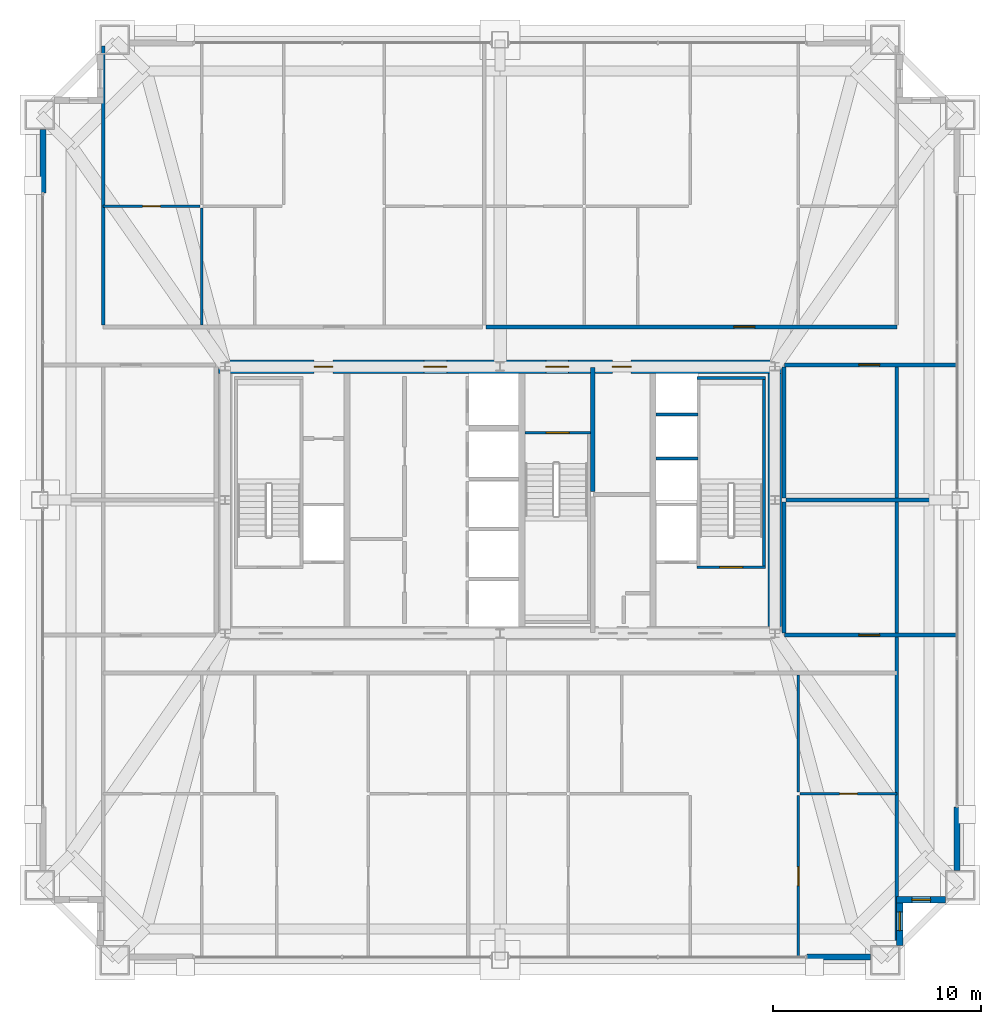
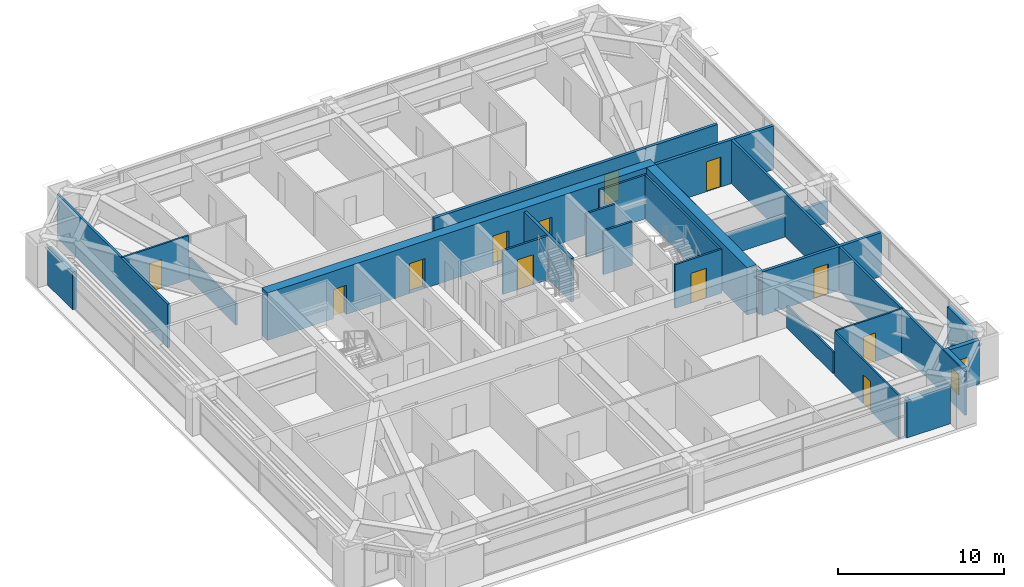
# One storey, part 36 of 39: 27 walls, 12 doors, 2 windows, 14 openings.
"""IFC4 building model written with IfcOpenShell, lengths in metres."""

from ifc_helpers import new_model, si_unit, direction, frame, frame_2d, origin, place, context, subcontext, project, spatial, rectangle, extrude, source, transform, mapped, material, layer, layer_set, type_object, element, fill, save


model = new_model("IFC4")

# Units and contexts
model_context = context("Model", 3, precision=1e-05, world=origin(), true_north=direction((0.0, 1.0)))
body_context = subcontext(model_context, "Body", "Model", "MODEL_VIEW")
ifc_project = project(units=[si_unit("LENGTHUNIT", "METRE"), si_unit("AREAUNIT", "SQUARE_METRE"), si_unit("VOLUMEUNIT", "CUBIC_METRE"), si_unit("PLANEANGLEUNIT", "RADIAN"), si_unit("MASSUNIT", "GRAM", prefix="KILO"), si_unit("THERMODYNAMICTEMPERATUREUNIT", "KELVIN"), si_unit("POWERUNIT", "WATT")], contexts=[model_context])

# Site, building, storey
site_placement = place(None, origin())
site = spatial("IfcSite", under=ifc_project, at=site_placement, CompositionType="ELEMENT")
building_placement = place(site_placement, origin())
building = spatial("IfcBuilding", under=site, at=building_placement, Name="Yuzanri Waterfront Tower", CompositionType="ELEMENT")
storey_placement = place(building_placement, frame((0.0, 0.0, 216.0)))
storey = spatial("IfcBuildingStorey", under=building, at=storey_placement, Name="L57", CompositionType="ELEMENT", Elevation=216.0)

# Wall, opening, door
ifc_material_1 = material(Name="Moisture-Resistant Gypsum Stud Wall", Category="gypsum")
ifc_layer_1 = layer(ifc_material_1, 0.1201171875)
ifc_layer_set_1 = layer_set([ifc_layer_1], Name="Moisture-Resistant Gypsum Stud Wall")
wall_type_1 = type_object("IfcWallType", Name="Bathroom and Kitchen Wet Partition 120", PredefinedType="PARTITIONING", material=ifc_layer_set_1)
wall_1_placement = place(storey_placement, frame((51.4130859375, 11.699951171875, 0.0), z_axis=(0.0, 0.0, 1.0), x_axis=(1.0, 0.0, 0.0)))
wall_1 = element("IfcWall", 1, at=wall_1_placement, inside=storey, type_object=wall_type_1, Name="L57 Partition UW-L57-RS2-SUB-3-S", PredefinedType="PARTITIONING", context=body_context, shape_type="SweptSolid", body=[
    extrude(rectangle(XDim=4.64697265625, YDim=0.1201171875, at=frame_2d((2.323486328125, 0.0))), origin(), (0.0, 0.0, 1.0), 3.219970703125),
])
opening_1_placement = place(wall_1_placement, frame((1.8984375, 0.0, 0.0)))
opening_1 = element("IfcOpeningElement", 2, at=opening_1_placement, cuts=wall_1, Name="Opening ID-0850", PredefinedType="OPENING", context=body_context, shape_type="SweptSolid", body=[
    extrude(rectangle(XDim=0.85009765625, YDim=2.10009765625, at=frame_2d((0.425048828125, 1.050048828125))), frame((0.0, 0.074951171875, 0.0), z_axis=(0.0, -1.0, 0.0), x_axis=(1.0, 0.0, 0.0)), (0.0, 0.0, 1.0), 0.14990234375),
])
ifc_material_2 = material(Name="Moisture-Resistant Lacquered Timber", Category="wood")
door_type_1 = type_object("IfcDoorType", Name="En-Suite Bathroom and Kitchen Swing Door 850x2100", OperationType="NOTDEFINED", PredefinedType="DOOR", material=ifc_material_2)
shared_shape_1 = source(origin(), body_context, "Body", "SweptSolid", [
    extrude(rectangle(XDim=0.85009765625, YDim=2.10009765625, at=frame_2d((0.425048828125, 1.050048828125))), frame((0.0, 0.02490234375, 0.0), z_axis=(0.0, -1.0, 0.0), x_axis=(1.0, 0.0, 0.0)), (0.0, 0.0, 1.0), 0.050048828125),
])
door_1_placement = place(opening_1_placement, origin())
door_1 = element("IfcDoor", 3, at=door_1_placement, inside=storey, type_object=door_type_1, Name="L57 Suite Interior Room Door", OperationType="SINGLE_SWING_LEFT", OverallHeight=2.10009765625, OverallWidth=0.85009765625, PredefinedType="DOOR", context=body_context, shape_type="MappedRepresentation", body=[
    mapped(shared_shape_1, transform((0.0, 0.0, 0.0), scale=1.0)),
])
fill(opening_1, door_1)

wall_2_placement = place(storey_placement, frame((51.3330078125, 3.85009765625, 0.0), z_axis=(0.0, 0.0, 1.0), x_axis=(0.0, 1.0, 0.0)))
wall_2 = element("IfcWall", 4, at=wall_2_placement, inside=storey, type_object=wall_type_1, Name="L57 Partition UW-L57-RS2-SUB-5-W", PredefinedType="PARTITIONING", context=body_context, shape_type="SweptSolid", body=[
    extrude(rectangle(XDim=7.77001953125, YDim=0.1201171875, at=frame_2d((3.885009765625, 0.0))), origin(), (0.0, 0.0, 1.0), 3.219970703125),
])
opening_2_placement = place(wall_2_placement, frame((3.43505859375, 0.0, 0.0)))
opening_2 = element("IfcOpeningElement", 5, at=opening_2_placement, cuts=wall_2, Name="Opening ID-0900", PredefinedType="OPENING", context=body_context, shape_type="SweptSolid", body=[
    extrude(rectangle(XDim=0.89990234375, YDim=2.14990234375, at=frame_2d((0.449951171875, 1.074951171875))), frame((0.0, 0.074951171875, 0.0), z_axis=(0.0, -1.0, 0.0), x_axis=(1.0, 0.0, 0.0)), (0.0, 0.0, 1.0), 0.14990234375),
])
ifc_material_3 = material(Name="Stained Walnut Veneer Timber", Category="wood")
door_type_2 = type_object("IfcDoorType", Name="Bedroom and Study Interior Swing Door 900x2150", OperationType="NOTDEFINED", PredefinedType="DOOR", material=ifc_material_3)
shared_shape_2 = source(origin(), body_context, "Body", "SweptSolid", [
    extrude(rectangle(XDim=0.89990234375, YDim=2.14990234375, at=frame_2d((0.449951171875, 1.074951171875))), frame((0.0, 0.02490234375, 0.0), z_axis=(0.0, -1.0, 0.0), x_axis=(1.0, 0.0, 0.0)), (0.0, 0.0, 1.0), 0.050048828125),
])
door_2_placement = place(opening_2_placement, origin())
door_2 = element("IfcDoor", 6, at=door_2_placement, inside=storey, type_object=door_type_2, Name="L57 Suite Interior Room Door", OperationType="SINGLE_SWING_LEFT", OverallHeight=2.14990234375, OverallWidth=0.89990234375, PredefinedType="DOOR", context=body_context, shape_type="MappedRepresentation", body=[
    mapped(shared_shape_2, transform((0.0, 0.0, 0.0), scale=1.0)),
])
fill(opening_2, door_2)

wall_3_placement = place(storey_placement, frame((17.93994140625, 39.89990234375, 0.0), z_axis=(0.0, 0.0, 1.0), x_axis=(1.0, 0.0, 0.0)))
wall_3 = element("IfcWall", 7, at=wall_3_placement, inside=storey, type_object=wall_type_1, Name="L57 Partition UW-L57-RN1-SUB-1-N", PredefinedType="PARTITIONING", context=body_context, shape_type="SweptSolid", body=[
    extrude(rectangle(XDim=4.64697265625, YDim=0.1201171875, at=frame_2d((2.323486328125, 0.0))), origin(), (0.0, 0.0, 1.0), 3.219970703125),
])
opening_3_placement = place(wall_3_placement, frame((1.8984375, 0.0, 0.0)))
opening_3 = element("IfcOpeningElement", 8, at=opening_3_placement, cuts=wall_3, Name="Opening ID-0850", PredefinedType="OPENING", context=body_context, shape_type="SweptSolid", body=[
    extrude(rectangle(XDim=0.85009765625, YDim=2.10009765625, at=frame_2d((0.425048828125, 1.050048828125))), frame((0.0, 0.074951171875, 0.0), z_axis=(0.0, -1.0, 0.0), x_axis=(1.0, 0.0, 0.0)), (0.0, 0.0, 1.0), 0.14990234375),
])
door_3_placement = place(opening_3_placement, origin())
door_3 = element("IfcDoor", 9, at=door_3_placement, inside=storey, type_object=door_type_1, Name="L57 Suite Interior Room Door", OperationType="SINGLE_SWING_RIGHT", OverallHeight=2.10009765625, OverallWidth=0.85009765625, PredefinedType="DOOR", context=body_context, shape_type="MappedRepresentation", body=[
    mapped(shared_shape_1, transform((0.0, 0.0, 0.0), scale=1.0)),
])
fill(opening_3, door_3)

# Wall, opening, window
ifc_material_4 = material(Name="Honed Chongqing Dark Basalt Stone", Category="masonry")
ifc_layer_2 = layer(ifc_material_4, 0.300048828125)
ifc_layer_set_2 = layer_set([ifc_layer_2], Name="Honed Chongqing Dark Basalt Stone")
wall_type_2 = type_object("IfcWallType", Name="Bronze Rainscreen Insulated Spandrel Portal Wall 300", PredefinedType="SOLIDWALL", material=ifc_layer_set_2)
wall_4_placement = place(storey_placement, frame((56.050048828125, 6.60009765625, 0.0), z_axis=(0.0, 0.0, 1.0), x_axis=(1.0, 0.0, 0.0)))
wall_4 = element("IfcWall", 10, at=wall_4_placement, inside=storey, type_object=wall_type_2, Name="L57 Notched Corner Masonry Wall SE-X", PredefinedType="SOLIDWALL", context=body_context, shape_type="SweptSolid", body=[
    extrude(rectangle(XDim=2.349853515625, YDim=0.300048828125, at=frame_2d((1.1748046875, 0.0))), origin(), (0.0, 0.0, 1.0), 3.219970703125),
])
opening_4_placement = place(wall_4_placement, frame((0.72509765625, 0.0, 0.75)))
opening_4 = element("IfcOpeningElement", 11, at=opening_4_placement, cuts=wall_4, Name="Opening WN-05", PredefinedType="OPENING", context=body_context, shape_type="SweptSolid", body=[
    extrude(rectangle(XDim=0.89990234375, YDim=1.5, at=frame_2d((0.449951171875, 0.75))), frame((0.0, 0.1650390625, 0.0), z_axis=(0.0, -1.0, 0.0), x_axis=(1.0, 0.0, 0.0)), (0.0, 0.0, 1.0), 0.329833984375),
])
ifc_material_5 = material(Name="Double-Silver Low-E Insulated Glass", Category="glass")
window_type = type_object("IfcWindowType", Name="Anodized Bronze Service and Stairwell Smoke-Vent Window 900x1500", PartitioningType="SINGLE_PANEL", PredefinedType="WINDOW", material=ifc_material_5)
shared_shape_3 = source(origin(), body_context, "Body", "SweptSolid", [
    extrude(rectangle(XDim=0.89990234375, YDim=1.5, at=frame_2d((0.449951171875, 0.75))), frame((0.0, 0.030029296875, 0.0), z_axis=(0.0, -1.0, 0.0), x_axis=(1.0, 0.0, 0.0)), (0.0, 0.0, 1.0), 0.06005859375),
])
window_1_placement = place(opening_4_placement, origin())
window_1 = element("IfcWindow", 12, at=window_1_placement, inside=storey, type_object=window_type, Name="L57 Notched Corner Window SE-X", OverallHeight=1.5, OverallWidth=0.89990234375, PartitioningType="SINGLE_PANEL", PredefinedType="WINDOW", context=body_context, shape_type="MappedRepresentation", body=[
    mapped(shared_shape_3, transform((0.0, 0.0, 0.0), scale=1.0)),
])
fill(opening_4, window_1)

wall_5_placement = place(storey_placement, frame((56.199951171875, 4.39990234375, 0.0), z_axis=(0.0, 0.0, 1.0), x_axis=(0.0, 1.0, 0.0)))
wall_5 = element("IfcWall", 13, at=wall_5_placement, inside=storey, type_object=wall_type_2, Name="L57 Notched Corner Masonry Wall SE-Y", PredefinedType="SOLIDWALL", context=body_context, shape_type="SweptSolid", body=[
    extrude(rectangle(XDim=2.35009765625, YDim=0.300048828125, at=frame_2d((1.175048828125, 0.0))), origin(), (0.0, 0.0, 1.0), 3.219970703125),
])
opening_5_placement = place(wall_5_placement, frame((0.72509765625, 0.0, 0.75)))
opening_5 = element("IfcOpeningElement", 14, at=opening_5_placement, cuts=wall_5, Name="Opening WN-05", PredefinedType="OPENING", context=body_context, shape_type="SweptSolid", body=[
    extrude(rectangle(XDim=0.89990234375, YDim=1.5, at=frame_2d((0.449951171875, 0.75))), frame((0.0, 0.1650390625, 0.0), z_axis=(0.0, -1.0, 0.0), x_axis=(1.0, 0.0, 0.0)), (0.0, 0.0, 1.0), 0.329833984375),
])
window_2_placement = place(opening_5_placement, origin())
window_2 = element("IfcWindow", 15, at=window_2_placement, inside=storey, type_object=window_type, Name="L57 Notched Corner Window SE-Y", OverallHeight=1.5, OverallWidth=0.89990234375, PartitioningType="SINGLE_PANEL", PredefinedType="WINDOW", context=body_context, shape_type="MappedRepresentation", body=[
    mapped(shared_shape_3, transform((0.0, 0.0, 0.0), scale=1.0)),
])
fill(opening_5, window_2)

# Wall, openings, doors
ifc_material_6 = material(Name="Concrete C50", Category="concrete")
ifc_layer_3 = layer(ifc_material_6, 0.64990234375)
ifc_layer_set_3 = layer_set([ifc_layer_3], Name="Concrete C50")
wall_type_3 = type_object("IfcWallType", Name="Concrete C50 Mid Zone Core Shear Wall 650", PredefinedType="SHEAR", material=ifc_layer_set_3)
wall_6_placement = place(storey_placement, frame((23.47509765625, 32.199951171875, 0.0), z_axis=(0.0, 0.0, 1.0), x_axis=(1.0, 0.0, 0.0)))
wall_6 = element("IfcWall", 16, at=wall_6_placement, inside=storey, type_object=wall_type_3, Name="L57 Core North Shear Wall", PredefinedType="SHEAR", context=body_context, shape_type="SweptSolid", body=[
    extrude(rectangle(XDim=27.0498046875, YDim=0.64990234375, at=frame_2d((13.52490234375, 0.0))), origin(), (0.0, 0.0, 1.0), 3.5),
])
opening_6_placement = place(wall_6_placement, frame((4.594970703125, 0.0, 0.0)))
opening_6 = element("IfcOpeningElement", 17, at=opening_6_placement, cuts=wall_6, Name="Opening FD-0900", PredefinedType="OPENING", context=body_context, shape_type="SweptSolid", body=[
    extrude(rectangle(XDim=0.89990234375, YDim=2.14990234375, at=frame_2d((0.449951171875, 1.074951171875))), frame((0.0, 0.33984375, 0.0), z_axis=(0.0, -1.0, 0.0), x_axis=(1.0, 0.0, 0.0)), (0.0, 0.0, 1.0), 0.6796875),
])
opening_7_placement = place(wall_6_placement, frame((9.875, 0.0, 0.0)))
opening_7 = element("IfcOpeningElement", 18, at=opening_7_placement, cuts=wall_6, Name="Opening FD-1100", PredefinedType="OPENING", context=body_context, shape_type="SweptSolid", body=[
    extrude(rectangle(XDim=1.10009765625, YDim=2.199951171875, at=frame_2d((0.550048828125, 1.10009765625))), frame((0.0, 0.33984375, 0.0), z_axis=(0.0, -1.0, 0.0), x_axis=(1.0, 0.0, 0.0)), (0.0, 0.0, 1.0), 0.6796875),
])
opening_8_placement = place(wall_6_placement, frame((15.72509765625, 0.0, 0.0)))
opening_8 = element("IfcOpeningElement", 19, at=opening_8_placement, cuts=wall_6, Name="Opening FD-1100", PredefinedType="OPENING", context=body_context, shape_type="SweptSolid", body=[
    extrude(rectangle(XDim=1.10009765625, YDim=2.199951171875, at=frame_2d((0.550048828125, 1.10009765625))), frame((0.0, 0.33984375, 0.0), z_axis=(0.0, -1.0, 0.0), x_axis=(1.0, 0.0, 0.0)), (0.0, 0.0, 1.0), 0.6796875),
])
opening_9_placement = place(wall_6_placement, frame((18.925048828125, 0.0, 0.0)))
opening_9 = element("IfcOpeningElement", 20, at=opening_9_placement, cuts=wall_6, Name="Opening FD-0900", PredefinedType="OPENING", context=body_context, shape_type="SweptSolid", body=[
    extrude(rectangle(XDim=0.89990234375, YDim=2.14990234375, at=frame_2d((0.449951171875, 1.074951171875))), frame((0.0, 0.33984375, 0.0), z_axis=(0.0, -1.0, 0.0), x_axis=(1.0, 0.0, 0.0)), (0.0, 0.0, 1.0), 0.6796875),
])
ifc_material_7 = material(Name="Painted Galvanized Fire Steel", Category="steel")
door_type_3 = type_object("IfcDoorType", Name="Smoke-Proof Stair and Lobby Fire Door 1100x2200", OperationType="NOTDEFINED", PredefinedType="DOOR", material=ifc_material_7)
shared_shape_4 = source(origin(), body_context, "Body", "SweptSolid", [
    extrude(rectangle(XDim=1.10009765625, YDim=2.199951171875, at=frame_2d((0.550048828125, 1.10009765625))), frame((0.0, 0.02490234375, 0.0), z_axis=(0.0, -1.0, 0.0), x_axis=(1.0, 0.0, 0.0)), (0.0, 0.0, 1.0), 0.050048828125),
])
door_4_placement = place(opening_7_placement, origin())
door_4 = element("IfcDoor", 21, at=door_4_placement, inside=storey, type_object=door_type_3, Name="L57 Central Lift Lobby North Door", OperationType="SINGLE_SWING_LEFT", OverallHeight=2.199951171875, OverallWidth=1.10009765625, PredefinedType="DOOR", context=body_context, shape_type="MappedRepresentation", body=[
    mapped(shared_shape_4, transform((0.0, 0.0, 0.0), scale=1.0)),
])
fill(opening_7, door_4)
door_5_placement = place(opening_8_placement, origin())
door_5 = element("IfcDoor", 22, at=door_5_placement, inside=storey, type_object=door_type_3, Name="L57 North Stair Lobby Door", OperationType="SINGLE_SWING_RIGHT", OverallHeight=2.199951171875, OverallWidth=1.10009765625, PredefinedType="DOOR", context=body_context, shape_type="MappedRepresentation", body=[
    mapped(shared_shape_4, transform((0.0, 0.0, 0.0), scale=1.0)),
])
fill(opening_8, door_5)
ifc_material_8 = material(Name="Painted Galvanized Fire Steel", Category="steel")
door_type_4 = type_object("IfcDoorType", Name="Riser and Service Room Fire Door 900x2150", OperationType="NOTDEFINED", PredefinedType="DOOR", material=ifc_material_8)
shared_shape_5 = source(origin(), body_context, "Body", "SweptSolid", [
    extrude(rectangle(XDim=0.89990234375, YDim=2.14990234375, at=frame_2d((0.449951171875, 1.074951171875))), frame((0.0, 0.02490234375, 0.0), z_axis=(0.0, -1.0, 0.0), x_axis=(1.0, 0.0, 0.0)), (0.0, 0.0, 1.0), 0.050048828125),
])
door_6_placement = place(opening_6_placement, origin())
door_6 = element("IfcDoor", 23, at=door_6_placement, inside=storey, type_object=door_type_4, Name="L57 Telecom Riser Door", OperationType="SINGLE_SWING_RIGHT", OverallHeight=2.14990234375, OverallWidth=0.89990234375, PredefinedType="DOOR", context=body_context, shape_type="MappedRepresentation", body=[
    mapped(shared_shape_5, transform((0.0, 0.0, 0.0), scale=1.0)),
])
fill(opening_6, door_6)
door_7_placement = place(opening_9_placement, origin())
door_7 = element("IfcDoor", 24, at=door_7_placement, inside=storey, type_object=door_type_4, Name="L57 Cleaners Store Room", OperationType="SINGLE_SWING_RIGHT", OverallHeight=2.14990234375, OverallWidth=0.89990234375, PredefinedType="DOOR", context=body_context, shape_type="MappedRepresentation", body=[
    mapped(shared_shape_5, transform((0.0, 0.0, 0.0), scale=1.0)),
])
fill(opening_9, door_7)

# Wall, opening, door
ifc_material_9 = material(Name="Concrete C40", Category="concrete")
ifc_layer_4 = layer(ifc_material_9, 0.139892578125)
ifc_layer_set_4 = layer_set([ifc_layer_4], Name="Concrete C40")
wall_type_4 = type_object("IfcWallType", Name="Core Stair Liner and Hoistway Shaft Wall 140", PredefinedType="SOLIDWALL", material=ifc_layer_set_4)
wall_7_placement = place(storey_placement, frame((46.4599609375, 22.570068359375, 0.0), z_axis=(0.0, 0.0, 1.0), x_axis=(1.0, 0.0, 0.0)))
wall_7 = element("IfcWall", 25, at=wall_7_placement, inside=storey, type_object=wall_type_4, Name="L57 Shaft Wall STW-L57-ST-02-S", PredefinedType="SOLIDWALL", context=body_context, shape_type="SweptSolid", body=[
    extrude(rectangle(XDim=3.280029296875, YDim=0.139892578125, at=frame_2d((1.64013671875, 0.0))), origin(), (0.0, 0.0, 1.0), 3.219970703125),
])
opening_10_placement = place(wall_7_placement, frame((1.090087890625, 0.0, 0.0)))
opening_10 = element("IfcOpeningElement", 26, at=opening_10_placement, cuts=wall_7, Name="Opening FD-1100", PredefinedType="OPENING", context=body_context, shape_type="SweptSolid", body=[
    extrude(rectangle(XDim=1.10009765625, YDim=2.199951171875, at=frame_2d((0.550048828125, 1.10009765625))), frame((0.0, 0.0849609375, 0.0), z_axis=(0.0, -1.0, 0.0), x_axis=(1.0, 0.0, 0.0)), (0.0, 0.0, 1.0), 0.169677734375),
])
door_8_placement = place(opening_10_placement, origin())
door_8 = element("IfcDoor", 27, at=door_8_placement, inside=storey, type_object=door_type_3, Name="L57 Stair ST-02 Fire Door", OperationType="SINGLE_SWING_LEFT", OverallHeight=2.199951171875, OverallWidth=1.10009765625, PredefinedType="DOOR", context=body_context, shape_type="MappedRepresentation", body=[
    mapped(shared_shape_4, transform((0.0, 0.0, 0.0), scale=1.0)),
])
fill(opening_10, door_8)

wall_8_placement = place(storey_placement, frame((38.199951171875, 29.030029296875, 0.0), z_axis=(0.0, 0.0, 1.0), x_axis=(1.0, 0.0, 0.0)))
wall_8 = element("IfcWall", 28, at=wall_8_placement, inside=storey, type_object=wall_type_4, Name="L57 Shaft Wall STW-L57-ST-03-N", PredefinedType="SOLIDWALL", context=body_context, shape_type="SweptSolid", body=[
    extrude(rectangle(XDim=3.14013671875, YDim=0.139892578125, at=frame_2d((1.570068359375, 0.0))), origin(), (0.0, 0.0, 1.0), 3.219970703125),
])
opening_11_placement = place(wall_8_placement, frame((1.02001953125, 0.0, 0.0)))
opening_11 = element("IfcOpeningElement", 29, at=opening_11_placement, cuts=wall_8, Name="Opening FD-1100", PredefinedType="OPENING", context=body_context, shape_type="SweptSolid", body=[
    extrude(rectangle(XDim=1.10009765625, YDim=2.199951171875, at=frame_2d((0.550048828125, 1.10009765625))), frame((0.0, 0.0849609375, 0.0), z_axis=(0.0, -1.0, 0.0), x_axis=(1.0, 0.0, 0.0)), (0.0, 0.0, 1.0), 0.169677734375),
])
door_9_placement = place(opening_11_placement, origin())
door_9 = element("IfcDoor", 30, at=door_9_placement, inside=storey, type_object=door_type_3, Name="L57 Stair ST-03 Fire Door", OperationType="SINGLE_SWING_RIGHT", OverallHeight=2.199951171875, OverallWidth=1.10009765625, PredefinedType="DOOR", context=body_context, shape_type="MappedRepresentation", body=[
    mapped(shared_shape_4, transform((0.0, 0.0, 0.0), scale=1.0)),
])
fill(opening_11, door_9)

ifc_material_10 = material(Name="Autoclaved Aerated Concrete Blockwork", Category="masonry")
ifc_layer_5 = layer(ifc_material_10, 0.199951171875)
ifc_layer_set_5 = layer_set([ifc_layer_5], Name="Autoclaved Aerated Concrete Blockwork")
wall_type_5 = type_object("IfcWallType", Name="Corridor and Unit Party Fire Wall 200", PredefinedType="PARTITIONING", material=ifc_layer_set_5)
wall_9_placement = place(storey_placement, frame((36.318115234375, 34.110107421875, 0.0), z_axis=(0.0, 0.0, 1.0), x_axis=(1.0, 0.0, 0.0)))
wall_9 = element("IfcWall", 31, at=wall_9_placement, inside=storey, type_object=wall_type_5, Name="L57 Partition UW-L57-RN2-CS", PredefinedType="PARTITIONING", context=body_context, shape_type="SweptSolid", body=[
    extrude(rectangle(XDim=19.741943359375, YDim=0.199951171875, at=frame_2d((9.87109375, 0.0))), origin(), (0.0, 0.0, 1.0), 3.219970703125),
])
opening_12_placement = place(wall_9_placement, frame((11.9150390625, 0.0, 0.0)))
opening_12 = element("IfcOpeningElement", 32, at=opening_12_placement, cuts=wall_9, Name="Opening FD-1000", PredefinedType="OPENING", context=body_context, shape_type="SweptSolid", body=[
    extrude(rectangle(XDim=1.0, YDim=2.199951171875, at=frame_2d((0.5, 1.10009765625))), frame((0.0, 0.11474609375, 0.0), z_axis=(0.0, -1.0, 0.0), x_axis=(1.0, 0.0, 0.0)), (0.0, 0.0, 1.0), 0.229736328125),
])
ifc_material_11 = material(Name="Engineered Oak Fire-Rated Timber", Category="wood")
door_type_5 = type_object("IfcDoorType", Name="Guestroom and Apartment Entrance Fire Door 1000x2200", OperationType="NOTDEFINED", PredefinedType="DOOR", material=ifc_material_11)
shared_shape_6 = source(origin(), body_context, "Body", "SweptSolid", [
    extrude(rectangle(XDim=1.0, YDim=2.199951171875, at=frame_2d((0.5, 1.10009765625))), frame((0.0, 0.02490234375, 0.0), z_axis=(0.0, -1.0, 0.0), x_axis=(1.0, 0.0, 0.0)), (0.0, 0.0, 1.0), 0.050048828125),
])
door_10_placement = place(opening_12_placement, origin())
door_10 = element("IfcDoor", 33, at=door_10_placement, inside=storey, type_object=door_type_5, Name="L57 Apartment Living and Dining Salon Entrance Door", OperationType="SINGLE_SWING_RIGHT", OverallHeight=2.199951171875, OverallWidth=1.0, PredefinedType="DOOR", context=body_context, shape_type="MappedRepresentation", body=[
    mapped(shared_shape_6, transform((0.0, 0.0, 0.0), scale=1.0)),
])
fill(opening_12, door_10)

wall_10_placement = place(storey_placement, frame((50.64990234375, 19.31005859375, 0.0), z_axis=(0.0, 0.0, 1.0), x_axis=(1.0, 0.0, 0.0)))
wall_10 = element("IfcWall", 34, at=wall_10_placement, inside=storey, type_object=wall_type_5, Name="L57 Partition UW-L57-047-CS", PredefinedType="PARTITIONING", context=body_context, shape_type="SweptSolid", body=[
    extrude(rectangle(XDim=8.300048828125, YDim=0.199951171875, at=frame_2d((4.14990234375, 0.0))), origin(), (0.0, 0.0, 1.0), 3.219970703125),
])
opening_13_placement = place(wall_10_placement, frame((3.5849609375, 0.0, 0.0)))
opening_13 = element("IfcOpeningElement", 35, at=opening_13_placement, cuts=wall_10, Name="Opening FD-1000", PredefinedType="OPENING", context=body_context, shape_type="SweptSolid", body=[
    extrude(rectangle(XDim=1.0, YDim=2.199951171875, at=frame_2d((0.5, 1.10009765625))), frame((0.0, 0.11474609375, 0.0), z_axis=(0.0, -1.0, 0.0), x_axis=(1.0, 0.0, 0.0)), (0.0, 0.0, 1.0), 0.229736328125),
])
door_11_placement = place(opening_13_placement, origin())
door_11 = element("IfcDoor", 36, at=door_11_placement, inside=storey, type_object=door_type_5, Name="L57 Residents E Sky Club Room Entrance Door", OperationType="SINGLE_SWING_LEFT", OverallHeight=2.199951171875, OverallWidth=1.0, PredefinedType="DOOR", context=body_context, shape_type="MappedRepresentation", body=[
    mapped(shared_shape_6, transform((0.0, 0.0, 0.0), scale=1.0)),
])
fill(opening_13, door_11)

wall_11_placement = place(storey_placement, frame((50.64990234375, 32.2900390625, 0.0), z_axis=(0.0, 0.0, 1.0), x_axis=(1.0, 0.0, 0.0)))
wall_11 = element("IfcWall", 37, at=wall_11_placement, inside=storey, type_object=wall_type_5, Name="L57 Partition UW-L57-048-CN", PredefinedType="PARTITIONING", context=body_context, shape_type="SweptSolid", body=[
    extrude(rectangle(XDim=8.300048828125, YDim=0.199951171875, at=frame_2d((4.14990234375, 0.0))), origin(), (0.0, 0.0, 1.0), 3.219970703125),
])
opening_14_placement = place(wall_11_placement, frame((3.5849609375, 0.0, 0.0)))
opening_14 = element("IfcOpeningElement", 38, at=opening_14_placement, cuts=wall_11, Name="Opening FD-1000", PredefinedType="OPENING", context=body_context, shape_type="SweptSolid", body=[
    extrude(rectangle(XDim=1.0, YDim=2.199951171875, at=frame_2d((0.5, 1.10009765625))), frame((0.0, 0.11474609375, 0.0), z_axis=(0.0, -1.0, 0.0), x_axis=(1.0, 0.0, 0.0)), (0.0, 0.0, 1.0), 0.229736328125),
])
door_12_placement = place(opening_14_placement, origin())
door_12 = element("IfcDoor", 39, at=door_12_placement, inside=storey, type_object=door_type_5, Name="L57 Residents E Library Reading Room Entrance Door", OperationType="SINGLE_SWING_RIGHT", OverallHeight=2.199951171875, OverallWidth=1.0, PredefinedType="DOOR", context=body_context, shape_type="MappedRepresentation", body=[
    mapped(shared_shape_6, transform((0.0, 0.0, 0.0), scale=1.0)),
])
fill(opening_14, door_12)

# Walls
shared_shape_7 = source(origin(), body_context, "Body", "SweptSolid", [
    extrude(rectangle(XDim=12.14990234375, YDim=0.64990234375, at=frame_2d((6.074951171875, 0.0))), origin(), (0.0, 0.0, 1.0), 3.5),
])
wall_12_placement = place(storey_placement, frame((50.199951171875, 19.72509765625, 0.0), z_axis=(0.0, 0.0, 1.0), x_axis=(0.0, 1.0, 0.0)))
element("IfcWall", 40, at=wall_12_placement, inside=storey, type_object=wall_type_3, Name="L57 Core East Shear Wall", PredefinedType="SHEAR", context=body_context, shape_type="MappedRepresentation", body=[
    mapped(shared_shape_7, transform((0.0, 0.0, 0.0), scale=1.0)),
])
shared_shape_8 = source(origin(), body_context, "Body", "SweptSolid", [
    extrude(rectangle(XDim=3.050048828125, YDim=0.300048828125, at=frame_2d((1.52490234375, 0.0))), origin(), (0.0, 0.0, 1.0), 2.77490234375),
])
for number, where, z_axis, x_axis, name in (
    (41, (51.75, 3.85009765625, 0.0), (0.0, 0.0, 1.0), (1.0, 0.0, 0.0), "L57 S Right Braced Masonry Shoulder"),
    (42, (15.050048828125, 40.550048828125, 0.0), (0.0, 0.0, 1.0), (0.0, 1.0, 0.0), "L57 W Right Braced Masonry Shoulder"),
    (43, (58.949951171875, 8.0, 0.0), (0.0, 0.0, 1.0), (0.0, 1.0, 0.0), "L57 E Left Braced Masonry Shoulder"),
):
    element("IfcWall", number, at=place(storey_placement, frame(where, z_axis=z_axis, x_axis=x_axis)), inside=storey, type_object=wall_type_2, Name=name, PredefinedType="SOLIDWALL", context=body_context, shape_type="MappedRepresentation", body=[
        mapped(shared_shape_8, transform((0.0, 0.0, 0.0), scale=1.0)),
    ])
shared_shape_9 = source(origin(), body_context, "Body", "SweptSolid", [
    extrude(rectangle(XDim=2.0, YDim=0.139892578125, at=frame_2d((1.0, 0.0))), origin(), (0.0, 0.0, 1.0), 3.219970703125),
])
for number, where, z_axis, x_axis, name in (
    (44, (44.5, 27.800048828125, 0.0), (0.0, 0.0, 1.0), (1.0, 0.0, 0.0), "L57 Lift PL-09 Divider Wall"),
    (45, (44.5, 29.89990234375, 0.0), (0.0, 0.0, 1.0), (1.0, 0.0, 0.0), "L57 Lift PL-10 Divider Wall"),
):
    element("IfcWall", number, at=place(storey_placement, frame(where, z_axis=z_axis, x_axis=x_axis)), inside=storey, type_object=wall_type_4, Name=name, PredefinedType="SOLIDWALL", context=body_context, shape_type="MappedRepresentation", body=[
        mapped(shared_shape_9, transform((0.0, 0.0, 0.0), scale=1.0)),
    ])
shared_shape_10 = source(origin(), body_context, "Body", "SweptSolid", [
    extrude(rectangle(XDim=3.280029296875, YDim=0.139892578125, at=frame_2d((1.64013671875, 0.0))), origin(), (0.0, 0.0, 1.0), 3.219970703125),
])
wall_13_placement = place(storey_placement, frame((46.4599609375, 31.64990234375, 0.0), z_axis=(0.0, 0.0, 1.0), x_axis=(1.0, 0.0, 0.0)))
element("IfcWall", 46, at=wall_13_placement, inside=storey, type_object=wall_type_4, Name="L57 Stair ST-02 North Shaft Wall", PredefinedType="SOLIDWALL", context=body_context, shape_type="MappedRepresentation", body=[
    mapped(shared_shape_10, transform((0.0, 0.0, 0.0), scale=1.0)),
])
shared_shape_11 = source(origin(), body_context, "Body", "SweptSolid", [
    extrude(rectangle(XDim=8.940185546875, YDim=0.139892578125, at=frame_2d((4.47021484375, 0.0))), origin(), (0.0, 0.0, 1.0), 3.219970703125),
])
wall_14_placement = place(storey_placement, frame((49.669921875, 22.639892578125, 0.0), z_axis=(0.0, 0.0, 1.0), x_axis=(0.0, 1.0, 0.0)))
element("IfcWall", 47, at=wall_14_placement, inside=storey, type_object=wall_type_4, Name="L57 Stair ST-02 East Shaft Wall", PredefinedType="SOLIDWALL", context=body_context, shape_type="MappedRepresentation", body=[
    mapped(shared_shape_11, transform((0.0, 0.0, 0.0), scale=1.0)),
])
shared_shape_12 = source(origin(), body_context, "Body", "SweptSolid", [
    extrude(rectangle(XDim=5.9599609375, YDim=0.199951171875, at=frame_2d((2.97998046875, 0.0))), origin(), (0.0, 0.0, 1.0), 3.219970703125),
])
wall_15_placement = place(storey_placement, frame((41.449951171875, 26.199951171875, 0.0), z_axis=(0.0, 0.0, 1.0), x_axis=(0.0, 1.0, 0.0)))
element("IfcWall", 48, at=wall_15_placement, inside=storey, type_object=wall_type_5, Name="L57 Core BOH West Wall 2", PredefinedType="PARTITIONING", context=body_context, shape_type="MappedRepresentation", body=[
    mapped(shared_shape_12, transform((0.0, 0.0, 0.0), scale=1.0)),
])
shared_shape_13 = source(origin(), body_context, "Body", "SweptSolid", [
    extrude(rectangle(XDim=5.60986328125, YDim=0.1201171875, at=frame_2d((2.804931640625, 0.0))), origin(), (0.0, 0.0, 1.0), 1.614990234375),
])
wall_16_placement = place(storey_placement, frame((51.3330078125, 11.780029296875, 0.0), z_axis=(0.0, 0.0, 1.0), x_axis=(0.0, 1.0, 0.0)))
element("IfcWall", 49, at=wall_16_placement, inside=storey, type_object=wall_type_1, Name="L57 Partition UW-L57-RS2-SUB-3-W", PredefinedType="PARTITIONING", context=body_context, shape_type="MappedRepresentation", body=[
    mapped(shared_shape_13, transform((0.0, 0.0, 0.0), scale=1.0)),
])
shared_shape_14 = source(origin(), body_context, "Body", "SweptSolid", [
    extrude(rectangle(XDim=5.610107421875, YDim=0.1201171875, at=frame_2d((2.80517578125, 0.0))), origin(), (0.0, 0.0, 1.0), 1.614990234375),
])
wall_17_placement = place(storey_placement, frame((22.6669921875, 34.2099609375, 0.0), z_axis=(0.0, 0.0, 1.0), x_axis=(0.0, 1.0, 0.0)))
element("IfcWall", 50, at=wall_17_placement, inside=storey, type_object=wall_type_1, Name="L57 Partition UW-L57-RN1-SUB-1-E", PredefinedType="PARTITIONING", context=body_context, shape_type="MappedRepresentation", body=[
    mapped(shared_shape_14, transform((0.0, 0.0, 0.0), scale=1.0)),
])
ifc_material_12 = material(Name="Gypsum Fireboard Acoustic Stud Wall", Category="gypsum")
ifc_layer_6 = layer(ifc_material_12, 0.159912109375)
ifc_layer_set_6 = layer_set([ifc_layer_6], Name="Gypsum Fireboard Acoustic Stud Wall")
wall_type_6 = type_object("IfcWallType", Name="Acoustic Suite Demising Partition 160", PredefinedType="PARTITIONING", material=ifc_layer_set_6)
shared_shape_15 = source(origin(), body_context, "Body", "SweptSolid", [
    extrude(rectangle(XDim=13.39013671875, YDim=0.159912109375, at=frame_2d((6.695068359375, 0.0))), origin(), (0.0, 0.0, 1.0), 3.219970703125),
])
wall_18_placement = place(storey_placement, frame((17.949951171875, 34.2099609375, 0.0), z_axis=(0.0, 0.0, 1.0), x_axis=(0.0, 1.0, 0.0)))
element("IfcWall", 51, at=wall_18_placement, inside=storey, type_object=wall_type_6, Name="L57 North Band West End Wall", PredefinedType="PARTITIONING", context=body_context, shape_type="MappedRepresentation", body=[
    mapped(shared_shape_15, transform((0.0, 0.0, 0.0), scale=1.0)),
])
shared_shape_16 = source(origin(), body_context, "Body", "SweptSolid", [
    extrude(rectangle(XDim=8.21484375, YDim=0.199951171875, at=frame_2d((4.107421875, 0.0))), origin(), (0.0, 0.0, 1.0), 1.614990234375),
])
wall_19_placement = place(storey_placement, frame((50.735107421875, 25.800048828125, 0.0), z_axis=(0.0, 0.0, 1.0), x_axis=(1.0, 0.0, 0.0)))
element("IfcWall", 52, at=wall_19_placement, inside=storey, type_object=wall_type_5, Name="L57-047 Wing North Wall", PredefinedType="PARTITIONING", context=body_context, shape_type="MappedRepresentation", body=[
    mapped(shared_shape_16, transform((0.0, 0.0, 0.0), scale=1.0)),
])
shared_shape_17 = source(origin(), body_context, "Body", "SweptSolid", [
    extrude(rectangle(XDim=6.2900390625, YDim=0.199951171875, at=frame_2d((3.14501953125, 0.0))), origin(), (0.0, 0.0, 1.0), 3.219970703125),
])
for number, where, z_axis, x_axis, name in (
    (53, (50.6298828125, 19.409912109375, 0.0), (0.0, 0.0, 1.0), (0.0, 1.0, 0.0), "L57-047 Wing Inner Core-Side Wall"),
    (54, (50.6298828125, 25.89990234375, 0.0), (0.0, 0.0, 1.0), (0.0, 1.0, 0.0), "L57-048 Wing Inner Core-Side Wall"),
):
    element("IfcWall", number, at=place(storey_placement, frame(where, z_axis=z_axis, x_axis=x_axis)), inside=storey, type_object=wall_type_5, Name=name, PredefinedType="PARTITIONING", context=body_context, shape_type="MappedRepresentation", body=[
        mapped(shared_shape_17, transform((0.0, 0.0, 0.0), scale=1.0)),
    ])
shared_shape_18 = source(origin(), body_context, "Body", "SweptSolid", [
    extrude(rectangle(XDim=28.18994140625, YDim=0.159912109375, at=frame_2d((14.094970703125, 0.0))), origin(), (0.0, 0.0, 1.0), 3.219970703125),
])
wall_20_placement = place(storey_placement, frame((56.050048828125, 4.0, 0.0), z_axis=(0.0, 0.0, 1.0), x_axis=(0.0, 1.0, 0.0)))
element("IfcWall", 55, at=wall_20_placement, inside=storey, type_object=wall_type_6, Name="L57 South Band East End Wall", PredefinedType="PARTITIONING", context=body_context, shape_type="MappedRepresentation", body=[
    mapped(shared_shape_18, transform((0.0, 0.0, 0.0), scale=1.0)),
])

save(model, "model.ifc")
